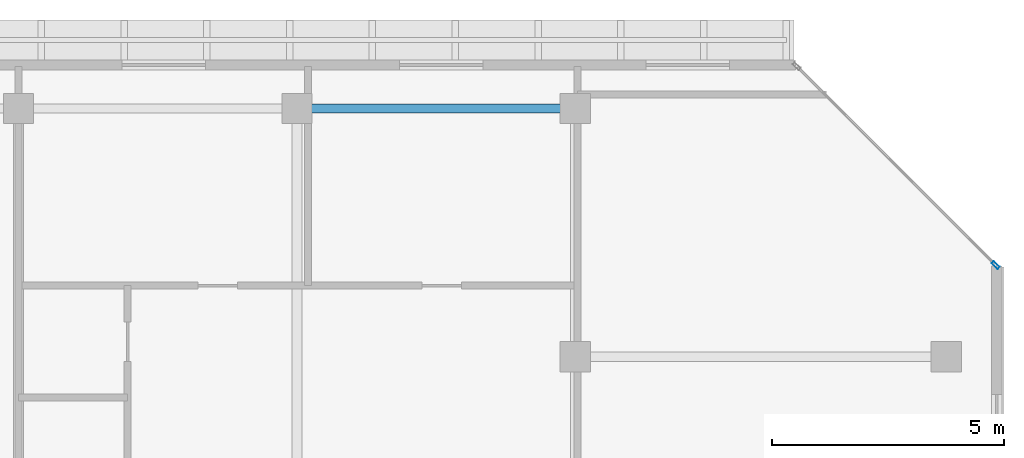
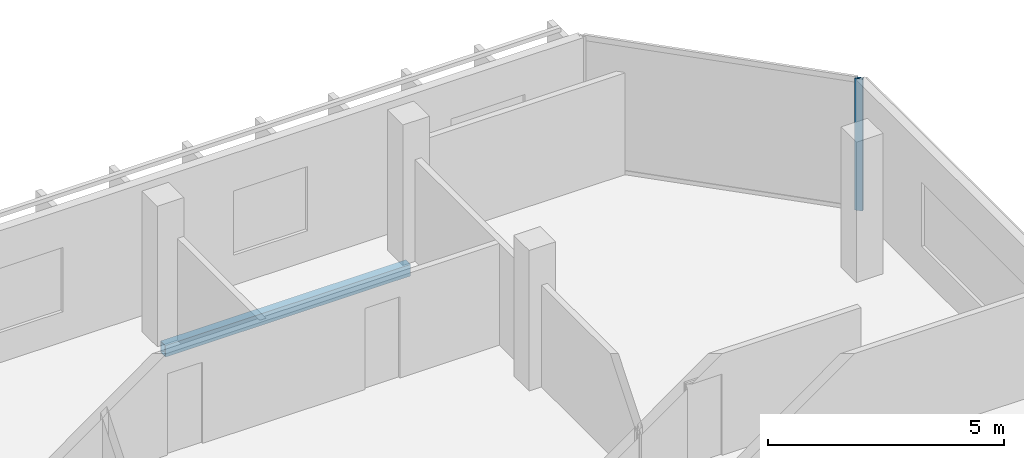
# One storey, part 18 of 28: 1 beam, 1 member, 1 element without a shape of its own.
"""IFC4 building model written with IfcOpenShell, lengths in metres."""

import ifcopenshell
import ifcopenshell.guid

model = None  # the IFC model being written
_history = None  # IfcOwnerHistory: only IFC2X3 demands one
_inside = {}  # id of a spatial element -> (the spatial element, [elements in it])
_under = {}  # id of a project, library or spatial element -> (it, [spatial elements below it])
_declared = {}  # id of a project -> (the project, [libraries it declares])
_typed = {}  # id of a type object -> (the type object, [elements of that type])
_made_of = {}  # id of a material, layer set ... -> (it, [elements and type objects made of it])


def new_model(schema):
    """Start an empty IFC model of exactly this schema.

    Asked for "IFC4X3", IfcOpenShell would pick the latest addendum, in which some entities
    have other attributes; the version numbers below select the first issue.
    IFC2X3 requires an IfcOwnerHistory on every rooted entity: one is made here for all.
    """
    global model, _history
    if schema == "IFC4X3":
        model = ifcopenshell.file(schema_version=(4, 3, 0, 0))
    else:
        model = ifcopenshell.file(schema=schema)
    _inside.clear()
    _under.clear()
    _declared.clear()
    _typed.clear()
    _made_of.clear()
    _history = None
    if model.schema == "IFC2X3":
        org = make("IfcOrganization", Name="unknown")
        user = make(
            "IfcPersonAndOrganization",
            ThePerson=make("IfcPerson", FamilyName="unknown"),
            TheOrganization=org,
        )
        app = make(
            "IfcApplication",
            ApplicationDeveloper=org,
            Version="unknown",
            ApplicationFullName="unknown",
            ApplicationIdentifier="unknown",
        )
        _history = make(
            "IfcOwnerHistory",
            OwningUser=user,
            OwningApplication=app,
            ChangeAction="ADDED",
            CreationDate=0,
        )
    return model


def make(cls, **values):
    """One entity of the class cls with the attributes given. An attribute that is None is left unset."""
    return model.create_entity(
        cls, **{name: value for name, value in values.items() if value is not None}
    )


def rooted(cls, **values):
    """An entity with a GlobalId (a new one), such as an element, a storey or a relation."""
    return make(cls, GlobalId=ifcopenshell.guid.new(), OwnerHistory=_history, **values)


def si_unit(unit_type, name, prefix=None):
    """IfcSIUnit, for example si_unit("LENGTHUNIT", "METRE", prefix="MILLI")."""
    return make("IfcSIUnit", UnitType=unit_type, Prefix=prefix, Name=name)


def assignment(units):
    """IfcUnitAssignment: the units of a project."""
    return None if units is None else make("IfcUnitAssignment", Units=units)


def point(xyz):
    """IfcCartesianPoint."""
    return None if xyz is None else make("IfcCartesianPoint", Coordinates=xyz)


def direction(xyz):
    """IfcDirection."""
    return None if xyz is None else make("IfcDirection", DirectionRatios=xyz)


def frame(location, z_axis=None, x_axis=None):
    """IfcAxis2Placement3D, a coordinate frame: its origin and axes. An axis left out is left unset."""
    return make(
        "IfcAxis2Placement3D",
        Location=point(location),
        Axis=direction(z_axis),
        RefDirection=direction(x_axis),
    )


def frame_2d(location, x_axis=None):
    """IfcAxis2Placement2D, a coordinate frame in the plane: its origin and x axis."""
    return make(
        "IfcAxis2Placement2D", Location=point(location), RefDirection=direction(x_axis)
    )


def origin():
    """The frame at (0, 0, 0) with its axes left unset."""
    return frame((0.0, 0.0, 0.0))


def origin_2d():
    """The frame at (0, 0) in the plane with its x axis left unset."""
    return frame_2d((0.0, 0.0))


def place(relative_to, where):
    """IfcLocalPlacement: puts the frame where relative to a parent placement (None: the world)."""
    return make(
        "IfcLocalPlacement", PlacementRelTo=relative_to, RelativePlacement=where
    )


def context(
    kind, dimensions, precision=None, world=None, true_north=None, identifier=None
):
    """IfcGeometricRepresentationContext, for example the 3D "Model" context."""
    return make(
        "IfcGeometricRepresentationContext",
        ContextIdentifier=identifier,
        ContextType=kind,
        CoordinateSpaceDimension=dimensions,
        Precision=precision,
        WorldCoordinateSystem=world,
        TrueNorth=true_north,
    )


def subcontext(parent, identifier, kind, view, scale=None):
    """IfcGeometricRepresentationSubContext, for example "Body" below "Model"."""
    return make(
        "IfcGeometricRepresentationSubContext",
        ContextIdentifier=identifier,
        ContextType=kind,
        ParentContext=parent,
        TargetScale=scale,
        TargetView=view,
    )


def project(units=None, contexts=None):
    """IfcProject with its units and contexts."""
    return rooted(
        "IfcProject",
        Name="project",
        RepresentationContexts=contexts,
        UnitsInContext=assignment(units),
    )


def spatial(cls, under=None, at=None, **own):
    """A site, building, storey or space (cls), placed at a placement, below another one or the project."""
    s = rooted(cls, ObjectPlacement=at, **own)
    if under is not None:
        _under.setdefault(under.id(), (under, []))[1].append(s)
    return s


def profile(cls, at=None, kind="AREA", **sizes):
    """A parametric profile (cls). Its sizes go by their IFC names, for example OverallWidth=200.0."""
    return make(cls, ProfileType=kind, Position=at, **sizes)


def hollow_rectangle(**sizes):
    """IfcRectangleHollowProfileDef."""
    return profile("IfcRectangleHollowProfileDef", **sizes)


def extrude(swept, where, along, depth):
    """IfcExtrudedAreaSolid: the profile swept, set in the frame where, extruded along a direction by depth."""
    return make(
        "IfcExtrudedAreaSolid",
        SweptArea=swept,
        Position=where,
        ExtrudedDirection=direction(along),
        Depth=depth,
    )


def shape(context_of_items, identifier, shape_type, items):
    """IfcShapeRepresentation: the items that make up one representation, for example the "Body"."""
    return make(
        "IfcShapeRepresentation",
        ContextOfItems=context_of_items,
        RepresentationIdentifier=identifier,
        RepresentationType=shape_type,
        Items=items,
    )


def material(Name=None, Category=None):
    """IfcMaterial."""
    return make("IfcMaterial", Name=Name, Category=Category)


def layer(
    of_material, thickness, ventilated=None, Name=None, Category=None, Priority=None
):
    """IfcMaterialLayer: one layer of a wall or slab, of a material (None: an air gap)."""
    return make(
        "IfcMaterialLayer",
        Material=of_material,
        LayerThickness=thickness,
        IsVentilated=ventilated,
        Name=Name,
        Category=Category,
        Priority=Priority,
    )


def layer_set(layers, Name=None):
    """IfcMaterialLayerSet."""
    return make("IfcMaterialLayerSet", MaterialLayers=layers, LayerSetName=Name)


def material_profile(
    of_material, cross_section, Name=None, Category=None, Priority=None
):
    """IfcMaterialProfile: a cross section and its material."""
    return make(
        "IfcMaterialProfile",
        Name=Name,
        Material=of_material,
        Profile=cross_section,
        Priority=Priority,
        Category=Category,
    )


def profile_set(profiles, Name=None, composite=None):
    """IfcMaterialProfileSet."""
    return make(
        "IfcMaterialProfileSet",
        Name=Name,
        MaterialProfiles=profiles,
        CompositeProfile=composite,
    )


def made_of(thing, what):
    """Note that an element or type object is made of a material, layer set ...; save() writes the relation."""
    if what is not None:
        _made_of.setdefault(what.id(), (what, []))[1].append(thing)
    return thing


def type_object(cls, material=None, **own):
    """A type object (cls), such as IfcWallType, which elements share."""
    return made_of(rooted(cls, **own), material)


def element(
    cls,
    number,
    at=None,
    inside=None,
    cuts=None,
    type_object=None,
    material=None,
    context=None,
    identifier="Body",
    shape_type=None,
    held_by="IfcProductDefinitionShape",
    body=None,
    shapes=None,
    **own,
):
    """One element of the class cls, such as IfcWall. Its Tag is "e" and its number.

    at: its placement. inside: the storey or other place that contains it. cuts: it is an
    opening in that element (IfcRelVoidsElement). A single representation is given by context,
    identifier, shape_type and body (its items); several are given by shapes. held_by: the class
    of the entity that holds the representations. save() writes the other relations.
    """
    e = rooted(cls, Tag="e%d" % number, ObjectPlacement=at, **own)
    if body is not None:
        shapes = [shape(context, identifier, shape_type, body)]
    if shapes is not None:
        e.Representation = make(held_by, Representations=shapes)
    if inside is not None:
        _inside.setdefault(inside.id(), (inside, []))[1].append(e)
    if cuts is not None:
        rooted(
            "IfcRelVoidsElement", RelatingBuildingElement=cuts, RelatedOpeningElement=e
        )
    if type_object is not None:
        _typed.setdefault(type_object.id(), (type_object, []))[1].append(e)
    return made_of(e, material)


def aggregate(whole, parts):
    """IfcRelAggregates: a whole, such as a stair, and the parts it consists of."""
    return rooted("IfcRelAggregates", RelatingObject=whole, RelatedObjects=parts)


def save(model, path):
    """Write the relations noted so far, then the file.

    IfcRelAggregates (storeys below a building ...), IfcRelContainedInSpatialStructure (elements
    in a storey), IfcRelDefinesByType, IfcRelAssociatesMaterial and IfcRelDeclares: one each for
    every whole, place, type object, material and project.
    """
    for whole, parts in _under.values():
        aggregate(whole, parts)
    for where, things in _inside.values():
        rooted(
            "IfcRelContainedInSpatialStructure",
            RelatedElements=things,
            RelatingStructure=where,
        )
    for kind, things in _typed.values():
        rooted("IfcRelDefinesByType", RelatedObjects=things, RelatingType=kind)
    for what, things in _made_of.values():
        rooted("IfcRelAssociatesMaterial", RelatedObjects=things, RelatingMaterial=what)
    for by, libraries in _declared.values():
        rooted("IfcRelDeclares", RelatingContext=by, RelatedDefinitions=libraries)
    model.write(path)


model = new_model("IFC4")

# Units and contexts
model_context = context("Model", 3, precision=1e-05, world=origin(), true_north=direction((0.0, 1.0)))
body_context = subcontext(model_context, "Body", "Model", "MODEL_VIEW")
ifc_project = project(units=[si_unit("LENGTHUNIT", "METRE"), si_unit("AREAUNIT", "SQUARE_METRE"), si_unit("VOLUMEUNIT", "CUBIC_METRE"), si_unit("PLANEANGLEUNIT", "RADIAN"), si_unit("MASSUNIT", "GRAM", prefix="KILO")], contexts=[model_context])

# Site, building, storey
site_placement = place(None, origin())
site = spatial("IfcSite", under=ifc_project, at=site_placement, CompositionType="ELEMENT")
building_placement = place(site_placement, origin())
building = spatial("IfcBuilding", under=site, at=building_placement, Name="Tanjung Sevakor Pilgrim Tower", CompositionType="ELEMENT")
storey_placement = place(building_placement, frame((0.0, 0.0, 242.550048828125)))
storey = spatial("IfcBuildingStorey", under=building, at=storey_placement, Name="L68", CompositionType="ELEMENT", Elevation=242.550048828125)

# Beam
ifc_material_1 = material(Name="Steel S355J2", Category="steel")
ifc_material_profile_1 = material_profile(ifc_material_1, hollow_rectangle(XDim=0.199951171875, YDim=0.300048828125, WallThickness=0.012451171875, at=origin_2d()))
ifc_profile_set_1 = profile_set([ifc_material_profile_1], Name="Steel S355J2")
beam_type = type_object("IfcBeamType", Name="BM-B-SP3-RHS_300x200x12.5", PredefinedType="SPANDREL", material=ifc_profile_set_1)
beam_placement = place(storey_placement, frame((84.0, 53.949951171875, -0.3701171875), z_axis=(1.0, 0.0, 0.0), x_axis=(0.0, 1.0, 0.0)))
element("IfcBeam", 1, at=beam_placement, inside=storey, type_object=beam_type, Name="L68 Spandrel EAST N-06", PredefinedType="SPANDREL", context=body_context, shape_type="SweptSolid", body=[
    extrude(hollow_rectangle(XDim=0.199951171875, YDim=0.300048828125, WallThickness=0.012451171875, at=origin_2d()), origin(), (0.0, 0.0, 1.0), 6.0),
])

# Curtain wall, member
ifc_material_2 = material(Name="Aluminium 6063-T6 and Low-E Glass", Category="aluminium")
ifc_layer = layer(ifc_material_2, 0.179931640625)
ifc_layer_set = layer_set([ifc_layer], Name="CW-SYS-CHAM")
curtain_wall_type = type_object("IfcCurtainWallType", Name="CW-SYS-CHAM", PredefinedType="NOTDEFINED", material=ifc_layer_set)
curtain_wall_placement = place(storey_placement, origin())
curtain_wall = element("IfcCurtainWall", 2, at=curtain_wall_placement, inside=storey, type_object=curtain_wall_type, Name="L68 Curtain Wall CW-CHM-L68-EAST-3", PredefinedType="NOTDEFINED")
ifc_material_3 = material(Name="Aluminium 6063-T6", Category="aluminium")
ifc_material_profile_2 = material_profile(ifc_material_3, hollow_rectangle(XDim=0.06494140625, YDim=0.179931640625, WallThickness=0.00390625, at=origin_2d()))
ifc_profile_set_2 = profile_set([ifc_material_profile_2], Name="Aluminium 6063-T6")
member_type = type_object("IfcMemberType", Name="TYPE-CWM-1", PredefinedType="MULLION", material=ifc_profile_set_2)
member_placement = place(storey_placement, frame((99.067138671875, 50.577392578125, 0.0), z_axis=(0.0, 0.0, 1.0), x_axis=(-0.707106781187, -0.707106781187, 0.0)))
member = element("IfcMember", 3, at=member_placement, type_object=member_type, Name="CW-CHM mullion 1", PredefinedType="MULLION", context=body_context, shape_type="SweptSolid", body=[
    extrude(hollow_rectangle(XDim=0.06494140625, YDim=0.179931640625, WallThickness=0.00390625, at=origin_2d()), origin(), (0.0, 0.0, 1.0), 3.409912109375),
])
aggregate(curtain_wall, [member])

save(model, "model.ifc")
